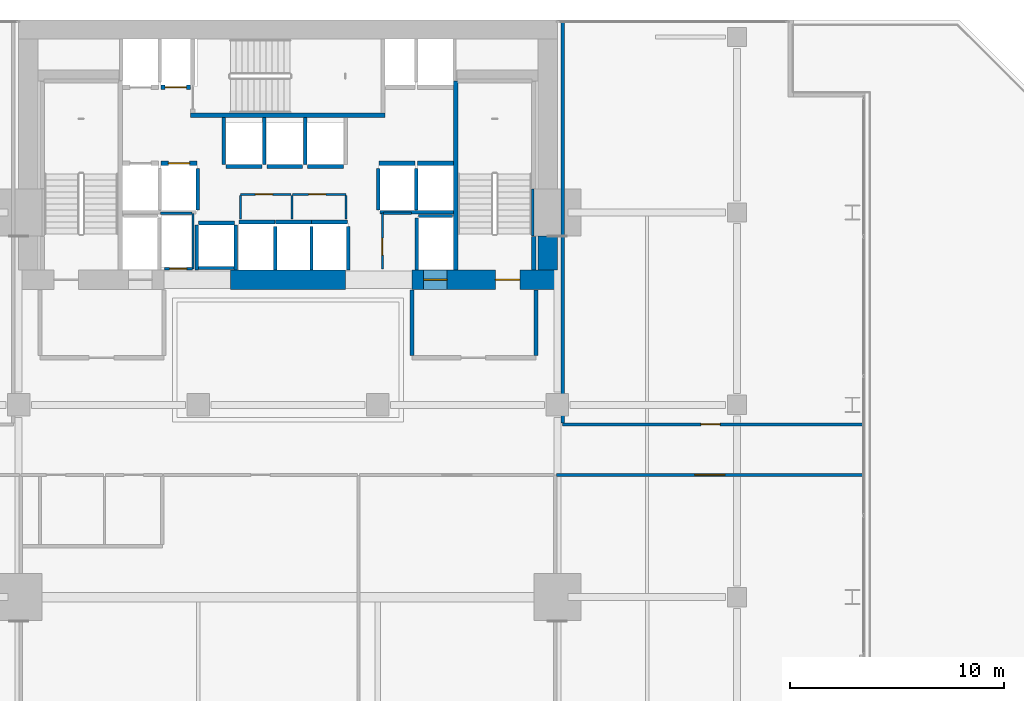
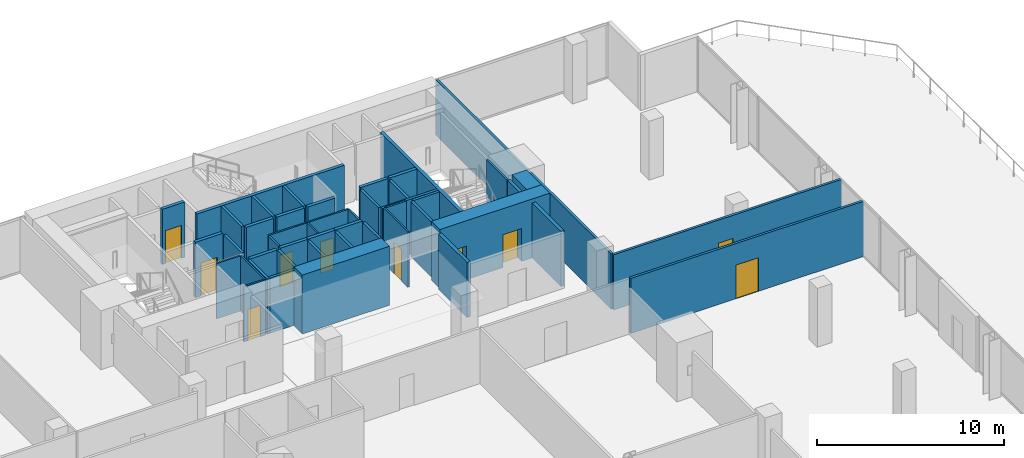
# One storey, part 26 of 31: 48 walls, 10 doors, 10 openings.
"""IFC4 building model written with IfcOpenShell, lengths in metres."""

from ifc_helpers import new_model, si_unit, direction, frame, frame_2d, origin, place, context, subcontext, project, spatial, rectangle, extrude, material, layer, layer_set, type_object, element, fill, save


model = new_model("IFC4")

# Units and contexts
model_context = context("Model", 3, precision=1e-05, world=origin(), true_north=direction((0.0, 1.0)))
body_context = subcontext(model_context, "Body", "Model", "MODEL_VIEW")
ifc_project = project(units=[si_unit("LENGTHUNIT", "METRE"), si_unit("AREAUNIT", "SQUARE_METRE"), si_unit("VOLUMEUNIT", "CUBIC_METRE"), si_unit("PLANEANGLEUNIT", "RADIAN"), si_unit("MASSUNIT", "GRAM", prefix="KILO")], contexts=[model_context])

# Site, building, storey
site_placement = place(None, origin())
site = spatial("IfcSite", under=ifc_project, at=site_placement, CompositionType="ELEMENT")
building_placement = place(site_placement, origin())
building = spatial("IfcBuilding", under=site, at=building_placement, Name="Maruvema Waterfront Hotel and Observation Tower", CompositionType="ELEMENT")
storey_placement = place(building_placement, frame((0.0, 0.0, 26.949951171875)))
storey = spatial("IfcBuildingStorey", under=building, at=storey_placement, Name="L05", CompositionType="ELEMENT", Elevation=26.949951171875)

# Wall, opening, door
ifc_material_1 = material(Name="Twin-stud acoustic gypsum drywall", Category="gypsum")
ifc_layer_1 = layer(ifc_material_1, 0.14990234375, Name="Acoustic Corridor and Suite Demising Wall 150 mm")
ifc_layer_set_1 = layer_set([ifc_layer_1], Name="Twin-stud acoustic gypsum drywall")
wall_type_1 = type_object("IfcWallType", Name="Acoustic Corridor and Suite Demising Wall 150 mm", PredefinedType="PARTITIONING", material=ifc_layer_set_1)
wall_1_placement = place(storey_placement, frame((50.35009765625, 32.719970703125, 0.0), z_axis=(0.0, 0.0, 1.0), x_axis=(1.0, 0.0, 0.0)))
wall_1 = element("IfcWall", 1, at=wall_1_placement, inside=storey, type_object=wall_type_1, Name="L05 L05 Gym North 028", PredefinedType="PARTITIONING", context=body_context, shape_type="SweptSolid", body=[
    extrude(rectangle(XDim=14.369873046875, YDim=0.14990234375, at=frame_2d((7.18505859375, 0.0))), origin(), (0.0, 0.0, 1.0), 3.610107421875),
])
opening_1_placement = place(wall_1_placement, frame((6.485107421875, 0.0, 0.0)))
opening_1 = element("IfcOpeningElement", 2, at=opening_1_placement, cuts=wall_1, Name="Opening DR-140", PredefinedType="OPENING", context=body_context, shape_type="SweptSolid", body=[
    extrude(rectangle(XDim=1.39990234375, YDim=2.199951171875, at=frame_2d((0.699951171875, 1.10009765625))), frame((0.0, 0.0849609375, 0.0), z_axis=(0.0, -1.0, 0.0), x_axis=(1.0, 0.0, 0.0)), (0.0, 0.0, 1.0), 0.169921875),
])
ifc_material_2 = material(Name="Anodised bronze framed acoustic glass leaf", Category="glass")
door_type_1 = type_object("IfcDoorType", Name="Conference and Restaurant Double Door 1400x2200 mm", OperationType="DOUBLE_DOOR_SINGLE_SWING", PredefinedType="DOOR", material=ifc_material_2)
door_1_placement = place(opening_1_placement, origin())
door_1 = element("IfcDoor", 3, at=door_1_placement, inside=storey, type_object=door_type_1, Name="L05 Fitness Gym Door", OperationType="DOUBLE_DOOR_SINGLE_SWING", OverallHeight=2.199951171875, OverallWidth=1.39990234375, PredefinedType="DOOR", context=body_context, shape_type="SweptSolid", body=[
    extrude(rectangle(XDim=1.39990234375, YDim=2.199951171875, at=frame_2d((0.699951171875, 1.10009765625))), frame((0.0, 0.02490234375, 0.0), z_axis=(0.0, -1.0, 0.0), x_axis=(1.0, 0.0, 0.0)), (0.0, 0.0, 1.0), 0.050048828125),
])
fill(opening_1, door_1)

wall_2_placement = place(storey_placement, frame((50.64990234375, 35.080078125, 0.0), z_axis=(0.0, 0.0, 1.0), x_axis=(1.0, 0.0, 0.0)))
wall_2 = element("IfcWall", 4, at=wall_2_placement, inside=storey, type_object=wall_type_1, Name="L05 L05 Yoga South 035", PredefinedType="PARTITIONING", context=body_context, shape_type="SweptSolid", body=[
    extrude(rectangle(XDim=14.070068359375, YDim=0.14990234375, at=frame_2d((7.03515625, 0.0))), origin(), (0.0, 0.0, 1.0), 3.610107421875),
])
opening_2_placement = place(wall_2_placement, frame((6.465087890625, 0.0, 0.0)))
opening_2 = element("IfcOpeningElement", 5, at=opening_2_placement, cuts=wall_2, Name="Opening DR-090", PredefinedType="OPENING", context=body_context, shape_type="SweptSolid", body=[
    extrude(rectangle(XDim=0.89990234375, YDim=2.10009765625, at=frame_2d((0.449951171875, 1.050048828125))), frame((0.0, 0.0849609375, 0.0), z_axis=(0.0, -1.0, 0.0), x_axis=(1.0, 0.0, 0.0)), (0.0, 0.0, 1.0), 0.169921875),
])
ifc_material_3 = material(Name="Solid-core lacquered timber leaf", Category="wood")
door_type_2 = type_object("IfcDoorType", Name="Accessible Toilet and Room Door 900x2100 mm", OperationType="NOTDEFINED", PredefinedType="DOOR", material=ifc_material_3)
door_2_placement = place(opening_2_placement, frame((0.89990234375, 0.0, 0.0), z_axis=(0.0, 0.0, 1.0), x_axis=(-1.0, 0.0, 0.0)))
door_2 = element("IfcDoor", 6, at=door_2_placement, inside=storey, type_object=door_type_2, Name="L05 Yoga Salon Door", OperationType="SINGLE_SWING_LEFT", OverallHeight=2.10009765625, OverallWidth=0.89990234375, PredefinedType="DOOR", context=body_context, shape_type="SweptSolid", body=[
    extrude(rectangle(XDim=0.89990234375, YDim=2.10009765625, at=frame_2d((0.449951171875, 1.050048828125))), frame((0.0, 0.02490234375, 0.0), z_axis=(0.0, -1.0, 0.0), x_axis=(1.0, 0.0, 0.0)), (0.0, 0.0, 1.0), 0.050048828125),
])
fill(opening_2, door_2)

# Walls
wall_3_placement = place(storey_placement, frame((50.64990234375, 35.139892578125, 0.0), z_axis=(0.0, 0.0, 1.0), x_axis=(0.0, 1.0, 0.0)))
element("IfcWall", 7, at=wall_3_placement, inside=storey, type_object=wall_type_1, Name="L05 L05 Yoga West 036", PredefinedType="PARTITIONING", context=body_context, shape_type="SweptSolid", body=[
    extrude(rectangle(XDim=18.780029296875, YDim=0.14990234375, at=frame_2d((9.39013671875, 0.0))), origin(), (0.0, 0.0, 1.0), 3.610107421875),
])
ifc_material_4 = material(Name="Precast concrete C45/55", Category="concrete")
ifc_layer_2 = layer(ifc_material_4, 0.199951171875, Name="Core Shaft and Stairwell Enclosure Wall 200 mm")
ifc_layer_set_2 = layer_set([ifc_layer_2], Name="Precast concrete C45/55")
wall_type_2 = type_object("IfcWallType", Name="Core Shaft and Stairwell Enclosure Wall 200 mm", PredefinedType="SOLIDWALL", material=ifc_layer_set_2)
wall_4_placement = place(storey_placement, frame((33.25, 49.550048828125, 0.0), z_axis=(0.0, 0.0, 1.0), x_axis=(1.0, 0.0, 0.0)))
element("IfcWall", 8, at=wall_4_placement, inside=storey, type_object=wall_type_2, Name="L05 Stairwell ST-02 Shaft Wall", PredefinedType="SOLIDWALL", context=body_context, shape_type="SweptSolid", body=[
    extrude(rectangle(XDim=9.10009765625, YDim=0.199951171875, at=frame_2d((4.550048828125, 0.0))), origin(), (0.0, 0.0, 1.0), 3.610107421875),
])
wall_5_placement = place(storey_placement, frame((45.64990234375, 42.300048828125, 0.0), z_axis=(0.0, 0.0, 1.0), x_axis=(0.0, 1.0, 0.0)))
element("IfcWall", 9, at=wall_5_placement, inside=storey, type_object=wall_type_2, Name="L05 Stairwell ST-03 West Shaft Wall", PredefinedType="SOLIDWALL", context=body_context, shape_type="SweptSolid", body=[
    extrude(rectangle(XDim=8.849853515625, YDim=0.199951171875, at=frame_2d((4.4248046875, 0.0))), origin(), (0.0, 0.0, 1.0), 3.610107421875),
])
wall_6_placement = place(storey_placement, frame((49.300048828125, 42.300048828125, 0.0), z_axis=(0.0, 0.0, 1.0), x_axis=(0.0, 1.0, 0.0)))
element("IfcWall", 10, at=wall_6_placement, inside=storey, type_object=wall_type_2, Name="L05 Stairwell ST-03 Shaft Lining Wall", PredefinedType="SOLIDWALL", context=body_context, shape_type="SweptSolid", body=[
    extrude(rectangle(XDim=1.579833984375, YDim=0.199951171875, at=frame_2d((0.7900390625, 0.0))), origin(), (0.0, 0.0, 1.0), 3.610107421875),
])

# Wall, opening, door
wall_7_placement = place(storey_placement, frame((31.860107421875, 47.300048828125, 0.0), z_axis=(0.0, 0.0, 1.0), x_axis=(1.0, 0.0, 0.0)))
wall_7 = element("IfcWall", 11, at=wall_7_placement, inside=storey, type_object=wall_type_2, Name="L05 Lift LF-02 Hoistway Front Wall", PredefinedType="SOLIDWALL", context=body_context, shape_type="SweptSolid", body=[
    extrude(rectangle(XDim=1.679931640625, YDim=0.199951171875, at=frame_2d((0.83984375, 0.0))), origin(), (0.0, 0.0, 1.0), 3.610107421875),
])
opening_3_placement = place(wall_7_placement, frame((0.340087890625, 0.0, 0.0)))
opening_3 = element("IfcOpeningElement", 12, at=opening_3_placement, cuts=wall_7, Name="Opening LD-01", PredefinedType="OPENING", context=body_context, shape_type="SweptSolid", body=[
    extrude(rectangle(XDim=1.0, YDim=2.14990234375, at=frame_2d((0.5, 1.074951171875))), frame((0.0, 0.10986328125, 0.0), z_axis=(0.0, -1.0, 0.0), x_axis=(1.0, 0.0, 0.0)), (0.0, 0.0, 1.0), 0.219970703125),
])
ifc_material_5 = material(Name="Brushed stainless steel Grade 316", Category="steel")
door_type_3 = type_object("IfcDoorType", Name="Passenger Lift Sliding Landing Door 1000x2150 mm", OperationType="SLIDING_TO_LEFT", PredefinedType="DOOR", material=ifc_material_5)
door_3_placement = place(opening_3_placement, origin())
door_3 = element("IfcDoor", 13, at=door_3_placement, inside=storey, type_object=door_type_3, Name="L05 Lift LF-02 Sliding Landing Door", OperationType="SLIDING_TO_LEFT", OverallHeight=2.14990234375, OverallWidth=1.0, PredefinedType="DOOR", context=body_context, shape_type="SweptSolid", body=[
    extrude(rectangle(XDim=1.0, YDim=2.14990234375, at=frame_2d((0.5, 1.074951171875))), frame((0.0, 0.02490234375, 0.0), z_axis=(0.0, -1.0, 0.0), x_axis=(1.0, 0.0, 0.0)), (0.0, 0.0, 1.0), 0.050048828125),
])
fill(opening_3, door_3)

wall_8_placement = place(storey_placement, frame((31.860107421875, 50.85009765625, 0.0), z_axis=(0.0, 0.0, 1.0), x_axis=(1.0, 0.0, 0.0)))
wall_8 = element("IfcWall", 14, at=wall_8_placement, inside=storey, type_object=wall_type_2, Name="L05 Lift LF-04 Hoistway Front Wall", PredefinedType="SOLIDWALL", context=body_context, shape_type="SweptSolid", body=[
    extrude(rectangle(XDim=1.3798828125, YDim=0.199951171875, at=frame_2d((0.68994140625, 0.0))), origin(), (0.0, 0.0, 1.0), 3.610107421875),
])
opening_4_placement = place(wall_8_placement, frame((0.18994140625, 0.0, 0.0)))
opening_4 = element("IfcOpeningElement", 15, at=opening_4_placement, cuts=wall_8, Name="Opening LD-01", PredefinedType="OPENING", context=body_context, shape_type="SweptSolid", body=[
    extrude(rectangle(XDim=1.0, YDim=2.14990234375, at=frame_2d((0.5, 1.074951171875))), frame((0.0, 0.10986328125, 0.0), z_axis=(0.0, -1.0, 0.0), x_axis=(1.0, 0.0, 0.0)), (0.0, 0.0, 1.0), 0.219970703125),
])
door_4_placement = place(opening_4_placement, frame((1.0, 0.0, 0.0), z_axis=(0.0, 0.0, 1.0), x_axis=(-1.0, 0.0, 0.0)))
door_4 = element("IfcDoor", 16, at=door_4_placement, inside=storey, type_object=door_type_3, Name="L05 Lift LF-04 Sliding Landing Door", OperationType="SLIDING_TO_LEFT", OverallHeight=2.14990234375, OverallWidth=1.0, PredefinedType="DOOR", context=body_context, shape_type="SweptSolid", body=[
    extrude(rectangle(XDim=1.0, YDim=2.14990234375, at=frame_2d((0.5, 1.074951171875))), frame((0.0, 0.02490234375, 0.0), z_axis=(0.0, -1.0, 0.0), x_axis=(1.0, 0.0, 0.0)), (0.0, 0.0, 1.0), 0.050048828125),
])
fill(opening_4, door_4)

# Walls
for number, where, z_axis, x_axis, name in (
    (17, (42.06005859375, 47.300048828125, 0.0), (0.0, 0.0, 1.0), (1.0, 0.0, 0.0), "L05 Lift LF-05 Hoistway Front Wall"),
    (18, (43.860107421875, 47.300048828125, 0.0), (0.0, 0.0, 1.0), (1.0, 0.0, 0.0), "L05 Lift LF-06 Hoistway Front Wall"),
    (19, (35.510009765625, 44.550048828125, 0.0), (0.0, 0.0, 1.0), (1.0, 0.0, 0.0), "L05 Lift LF-09 Hoistway Front Wall"),
    (20, (37.2099609375, 44.550048828125, 0.0), (0.0, 0.0, 1.0), (1.0, 0.0, 0.0), "L05 Lift LF-10 Hoistway Front Wall"),
):
    element("IfcWall", number, at=place(storey_placement, frame(where, z_axis=z_axis, x_axis=x_axis)), inside=storey, type_object=wall_type_2, Name=name, PredefinedType="SOLIDWALL", context=body_context, shape_type="SweptSolid", body=[
        extrude(rectangle(XDim=1.679931640625, YDim=0.199951171875, at=frame_2d((0.83984375, 0.0))), origin(), (0.0, 0.0, 1.0), 3.610107421875),
    ])
for number, where, z_axis, x_axis, name in (
    (21, (38.909912109375, 44.550048828125, 0.0), (0.0, 0.0, 1.0), (1.0, 0.0, 0.0), "L05 Lift LF-11 Hoistway Front Wall"),
    (22, (34.909912109375, 47.14990234375, 0.0), (0.0, 0.0, 1.0), (1.0, 0.0, 0.0), "L05 Lift LF-12 Hoistway Front Wall"),
):
    element("IfcWall", number, at=place(storey_placement, frame(where, z_axis=z_axis, x_axis=x_axis)), inside=storey, type_object=wall_type_2, Name=name, PredefinedType="SOLIDWALL", context=body_context, shape_type="SweptSolid", body=[
        extrude(rectangle(XDim=1.68017578125, YDim=0.199951171875, at=frame_2d((0.840087890625, 0.0))), origin(), (0.0, 0.0, 1.0), 3.610107421875),
    ])
for number, where, z_axis, x_axis, name in (
    (23, (36.81005859375, 47.14990234375, 0.0), (0.0, 0.0, 1.0), (1.0, 0.0, 0.0), "L05 Lift LF-13 Hoistway Front Wall"),
    (24, (38.7099609375, 47.14990234375, 0.0), (0.0, 0.0, 1.0), (1.0, 0.0, 0.0), "L05 Lift LF-14 Hoistway Front Wall"),
    (25, (33.610107421875, 44.5, 0.0), (0.0, 0.0, 1.0), (1.0, 0.0, 0.0), "L05 Lift LF-15 Hoistway Front Wall"),
):
    element("IfcWall", number, at=place(storey_placement, frame(where, z_axis=z_axis, x_axis=x_axis)), inside=storey, type_object=wall_type_2, Name=name, PredefinedType="SOLIDWALL", context=body_context, shape_type="SweptSolid", body=[
        extrude(rectangle(XDim=1.679931640625, YDim=0.199951171875, at=frame_2d((0.83984375, 0.0))), origin(), (0.0, 0.0, 1.0), 3.610107421875),
    ])
ifc_material_6 = material(Name="Concrete C80/95", Category="concrete")
ifc_layer_3 = layer(ifc_material_6, 0.89990234375, Name="Core Shear Wall 900 mm")
ifc_layer_set_3 = layer_set([ifc_layer_3], Name="Concrete C80/95")
wall_type_3 = type_object("IfcWallType", Name="Core Shear Wall 900 mm", PredefinedType="SHEAR", material=ifc_layer_set_3)
wall_9_placement = place(storey_placement, frame((35.10009765625, 41.85009765625, 0.0), z_axis=(0.0, 0.0, 1.0), x_axis=(1.0, 0.0, 0.0)))
element("IfcWall", 26, at=wall_9_placement, inside=storey, type_object=wall_type_3, Name="L05 South-Central Core Shear Wall", PredefinedType="SHEAR", context=body_context, shape_type="SweptSolid", body=[
    extrude(rectangle(XDim=5.39990234375, YDim=0.89990234375, at=frame_2d((2.699951171875, 0.0))), origin(), (0.0, 0.0, 1.0), 3.85009765625),
])

# Wall, openings, doors
wall_10_placement = place(storey_placement, frame((43.60009765625, 41.85009765625, 0.0), z_axis=(0.0, 0.0, 1.0), x_axis=(1.0, 0.0, 0.0)))
wall_10 = element("IfcWall", 27, at=wall_10_placement, inside=storey, type_object=wall_type_3, Name="L05 South-East Core Shear Wall", PredefinedType="SHEAR", context=body_context, shape_type="SweptSolid", body=[
    extrude(rectangle(XDim=6.7998046875, YDim=0.89990234375, at=frame_2d((3.39990234375, 0.0))), origin(), (0.0, 0.0, 1.0), 3.85009765625),
])
opening_5_placement = place(wall_10_placement, frame((3.89990234375, 0.0, 0.0)))
opening_5 = element("IfcOpeningElement", 28, at=opening_5_placement, cuts=wall_10, Name="Opening SD-01", PredefinedType="OPENING", context=body_context, shape_type="SweptSolid", body=[
    extrude(rectangle(XDim=1.14990234375, YDim=2.14990234375, at=frame_2d((0.574951171875, 1.074951171875))), frame((0.0, 0.4599609375, 0.0), z_axis=(0.0, -1.0, 0.0), x_axis=(1.0, 0.0, 0.0)), (0.0, 0.0, 1.0), 0.919921875),
])
opening_6_placement = place(wall_10_placement, frame((0.550048828125, 0.0, 0.0)))
opening_6 = element("IfcOpeningElement", 29, at=opening_6_placement, cuts=wall_10, Name="Opening LD-03", PredefinedType="OPENING", context=body_context, shape_type="SweptSolid", body=[
    extrude(rectangle(XDim=1.10009765625, YDim=2.199951171875, at=frame_2d((0.550048828125, 1.10009765625))), frame((0.0, 0.4599609375, 0.0), z_axis=(0.0, -1.0, 0.0), x_axis=(1.0, 0.0, 0.0)), (0.0, 0.0, 1.0), 0.919921875),
])
ifc_material_7 = material(Name="Fire-rated galvanised steel leaf", Category="steel")
door_type_4 = type_object("IfcDoorType", Name="Exit Stair Fire Door 1150x2150 mm", OperationType="NOTDEFINED", PredefinedType="DOOR", material=ifc_material_7)
door_5_placement = place(opening_5_placement, origin())
door_5 = element("IfcDoor", 30, at=door_5_placement, inside=storey, type_object=door_type_4, Name="L05 Exit Stair ST-03 Fire Door", OperationType="SINGLE_SWING_RIGHT", OverallHeight=2.14990234375, OverallWidth=1.14990234375, PredefinedType="DOOR", context=body_context, shape_type="SweptSolid", body=[
    extrude(rectangle(XDim=1.14990234375, YDim=2.14990234375, at=frame_2d((0.574951171875, 1.074951171875))), frame((0.0, 0.02490234375, 0.0), z_axis=(0.0, -1.0, 0.0), x_axis=(1.0, 0.0, 0.0)), (0.0, 0.0, 1.0), 0.050048828125),
])
fill(opening_5, door_5)
ifc_material_8 = material(Name="Brushed stainless steel Grade 316", Category="steel")
door_type_5 = type_object("IfcDoorType", Name="Firefighting Lift Sliding Landing Door 1100x2200 mm", OperationType="SLIDING_TO_LEFT", PredefinedType="DOOR", material=ifc_material_8)
door_6_placement = place(opening_6_placement, frame((1.10009765625, 0.0, 0.0), z_axis=(0.0, 0.0, 1.0), x_axis=(-1.0, 0.0, 0.0)))
door_6 = element("IfcDoor", 31, at=door_6_placement, inside=storey, type_object=door_type_5, Name="L05 Firefighting Lift FL-02 Landing Door", OperationType="SLIDING_TO_LEFT", OverallHeight=2.199951171875, OverallWidth=1.10009765625, PredefinedType="DOOR", context=body_context, shape_type="SweptSolid", body=[
    extrude(rectangle(XDim=1.10009765625, YDim=2.199951171875, at=frame_2d((0.550048828125, 1.10009765625))), frame((0.0, 0.02490234375, 0.0), z_axis=(0.0, -1.0, 0.0), x_axis=(1.0, 0.0, 0.0)), (0.0, 0.0, 1.0), 0.050048828125),
])
fill(opening_6, door_6)

# Wall
wall_11_placement = place(storey_placement, frame((49.949951171875, 42.300048828125, 0.0), z_axis=(0.0, 0.0, 1.0), x_axis=(0.0, 1.0, 0.0)))
element("IfcWall", 32, at=wall_11_placement, inside=storey, type_object=wall_type_3, Name="L05 East-South Core Shear Wall", PredefinedType="SHEAR", context=body_context, shape_type="SweptSolid", body=[
    extrude(rectangle(XDim=1.599853515625, YDim=0.89990234375, at=frame_2d((0.7998046875, 0.0))), origin(), (0.0, 0.0, 1.0), 3.85009765625),
])

# Wall, opening, door
ifc_material_9 = material(Name="Moisture-resistant cement-board drywall", Category="gypsum")
ifc_layer_4 = layer(ifc_material_9, 0.10009765625, Name="En-Suite Moisture-Resistant Partition 100 mm")
ifc_layer_set_4 = layer_set([ifc_layer_4], Name="Moisture-resistant cement-board drywall")
wall_type_4 = type_object("IfcWallType", Name="En-Suite Moisture-Resistant Partition 100 mm", PredefinedType="PARTITIONING", material=ifc_layer_set_4)
wall_12_placement = place(storey_placement, frame((32.02001953125, 42.360107421875, 0.0), z_axis=(0.0, 0.0, 1.0), x_axis=(1.0, 0.0, 0.0)))
wall_12 = element("IfcWall", 33, at=wall_12_placement, inside=storey, type_object=wall_type_4, Name="L05 Telecom Riser South Wall 007", PredefinedType="PARTITIONING", context=body_context, shape_type="SweptSolid", body=[
    extrude(rectangle(XDim=1.320068359375, YDim=0.10009765625, at=frame_2d((0.66015625, 0.0))), origin(), (0.0, 0.0, 1.0), 3.610107421875),
])
opening_7_placement = place(wall_12_placement, frame((0.239990234375, 0.0, 0.0)))
opening_7 = element("IfcOpeningElement", 34, at=opening_7_placement, cuts=wall_12, Name="Opening DR-080", PredefinedType="OPENING", context=body_context, shape_type="SweptSolid", body=[
    extrude(rectangle(XDim=0.800048828125, YDim=2.050048828125, at=frame_2d((0.39990234375, 1.02490234375))), frame((0.0, 0.06005859375, 0.0), z_axis=(0.0, -1.0, 0.0), x_axis=(1.0, 0.0, 0.0)), (0.0, 0.0, 1.0), 0.1201171875),
])
ifc_material_10 = material(Name="Powder-coated steel access leaf", Category="steel")
door_type_6 = type_object("IfcDoorType", Name="Riser and Service Cupboard Door 800x2050 mm", OperationType="NOTDEFINED", PredefinedType="DOOR", material=ifc_material_10)
door_7_placement = place(opening_7_placement, frame((0.800048828125, 0.0, 0.0), z_axis=(0.0, 0.0, 1.0), x_axis=(-1.0, 0.0, 0.0)))
door_7 = element("IfcDoor", 35, at=door_7_placement, inside=storey, type_object=door_type_6, Name="L05 Telecom Riser Door", OperationType="SINGLE_SWING_RIGHT", OverallHeight=2.050048828125, OverallWidth=0.800048828125, PredefinedType="DOOR", context=body_context, shape_type="SweptSolid", body=[
    extrude(rectangle(XDim=0.800048828125, YDim=2.050048828125, at=frame_2d((0.39990234375, 1.02490234375))), frame((0.0, 0.02490234375, 0.0), z_axis=(0.0, -1.0, 0.0), x_axis=(1.0, 0.0, 0.0)), (0.0, 0.0, 1.0), 0.050048828125),
])
fill(opening_7, door_7)

# Walls
wall_13_placement = place(storey_placement, frame((31.840087890625, 44.9599609375, 0.0), z_axis=(0.0, 0.0, 1.0), x_axis=(1.0, 0.0, 0.0)))
element("IfcWall", 36, at=wall_13_placement, inside=storey, type_object=wall_type_4, Name="L05 Telecom Riser North Wall 008", PredefinedType="PARTITIONING", context=body_context, shape_type="SweptSolid", body=[
    extrude(rectangle(XDim=1.47998046875, YDim=0.10009765625, at=frame_2d((0.739990234375, 0.0))), origin(), (0.0, 0.0, 1.0), 3.610107421875),
])
wall_14_placement = place(storey_placement, frame((33.360107421875, 42.360107421875, 0.0), z_axis=(0.0, 0.0, 1.0), x_axis=(0.0, 1.0, 0.0)))
element("IfcWall", 37, at=wall_14_placement, inside=storey, type_object=wall_type_4, Name="L05 Telecom Riser East Wall 009", PredefinedType="PARTITIONING", context=body_context, shape_type="SweptSolid", body=[
    extrude(rectangle(XDim=2.579833984375, YDim=0.10009765625, at=frame_2d((1.2900390625, 0.0))), origin(), (0.0, 0.0, 1.0), 3.610107421875),
])

# Wall, opening, door
wall_15_placement = place(storey_placement, frame((35.580078125, 45.840087890625, 0.0), z_axis=(0.0, 0.0, 1.0), x_axis=(1.0, 0.0, 0.0)))
wall_15 = element("IfcWall", 38, at=wall_15_placement, inside=storey, type_object=wall_type_4, Name="L05 Core Closet K2A North 010", PredefinedType="PARTITIONING", context=body_context, shape_type="SweptSolid", body=[
    extrude(rectangle(XDim=2.35986328125, YDim=0.10009765625, at=frame_2d((1.179931640625, 0.0))), origin(), (0.0, 0.0, 1.0), 3.610107421875),
])
opening_8_placement = place(wall_15_placement, frame((0.699951171875, 0.0, 0.0)))
opening_8 = element("IfcOpeningElement", 39, at=opening_8_placement, cuts=wall_15, Name="Opening DR-080", PredefinedType="OPENING", context=body_context, shape_type="SweptSolid", body=[
    extrude(rectangle(XDim=0.800048828125, YDim=2.050048828125, at=frame_2d((0.39990234375, 1.02490234375))), frame((0.0, 0.06005859375, 0.0), z_axis=(0.0, -1.0, 0.0), x_axis=(1.0, 0.0, 0.0)), (0.0, 0.0, 1.0), 0.1201171875),
])
door_8_placement = place(opening_8_placement, origin())
door_8 = element("IfcDoor", 40, at=door_8_placement, inside=storey, type_object=door_type_6, Name="L05 Core IT Closet Door", OperationType="SINGLE_SWING_LEFT", OverallHeight=2.050048828125, OverallWidth=0.800048828125, PredefinedType="DOOR", context=body_context, shape_type="SweptSolid", body=[
    extrude(rectangle(XDim=0.800048828125, YDim=2.050048828125, at=frame_2d((0.39990234375, 1.02490234375))), frame((0.0, 0.02490234375, 0.0), z_axis=(0.0, -1.0, 0.0), x_axis=(1.0, 0.0, 0.0)), (0.0, 0.0, 1.0), 0.050048828125),
])
fill(opening_8, door_8)

wall_16_placement = place(storey_placement, frame((38.02001953125, 45.840087890625, 0.0), z_axis=(0.0, 0.0, 1.0), x_axis=(1.0, 0.0, 0.0)))
wall_16 = element("IfcWall", 41, at=wall_16_placement, inside=storey, type_object=wall_type_4, Name="L05 Core Closet K2B North 011", PredefinedType="PARTITIONING", context=body_context, shape_type="SweptSolid", body=[
    extrude(rectangle(XDim=2.5, YDim=0.10009765625, at=frame_2d((1.25, 0.0))), origin(), (0.0, 0.0, 1.0), 3.610107421875),
])
opening_9_placement = place(wall_16_placement, frame((0.75, 0.0, 0.0)))
opening_9 = element("IfcOpeningElement", 42, at=opening_9_placement, cuts=wall_16, Name="Opening DR-080", PredefinedType="OPENING", context=body_context, shape_type="SweptSolid", body=[
    extrude(rectangle(XDim=0.800048828125, YDim=2.050048828125, at=frame_2d((0.39990234375, 1.02490234375))), frame((0.0, 0.06005859375, 0.0), z_axis=(0.0, -1.0, 0.0), x_axis=(1.0, 0.0, 0.0)), (0.0, 0.0, 1.0), 0.1201171875),
])
door_9_placement = place(opening_9_placement, origin())
door_9 = element("IfcDoor", 43, at=door_9_placement, inside=storey, type_object=door_type_6, Name="L05 Core Linen Cupboard Door", OperationType="SINGLE_SWING_RIGHT", OverallHeight=2.050048828125, OverallWidth=0.800048828125, PredefinedType="DOOR", context=body_context, shape_type="SweptSolid", body=[
    extrude(rectangle(XDim=0.800048828125, YDim=2.050048828125, at=frame_2d((0.39990234375, 1.02490234375))), frame((0.0, 0.02490234375, 0.0), z_axis=(0.0, -1.0, 0.0), x_axis=(1.0, 0.0, 0.0)), (0.0, 0.0, 1.0), 0.050048828125),
])
fill(opening_9, door_9)

# Walls
for number, where, z_axis, x_axis, name in (
    (44, (35.580078125, 44.699951171875, 0.0), (0.0, 0.0, 1.0), (0.0, 1.0, 0.0), "L05 Core Closet K2 West 012"),
    (45, (37.97998046875, 44.699951171875, 0.0), (0.0, 0.0, 1.0), (0.0, 1.0, 0.0), "L05 Core Closet K2 Mid 013"),
    (46, (40.52001953125, 44.699951171875, 0.0), (0.0, 0.0, 1.0), (0.0, 1.0, 0.0), "L05 Core Closet K2 East 014"),
):
    element("IfcWall", number, at=place(storey_placement, frame(where, z_axis=z_axis, x_axis=x_axis)), inside=storey, type_object=wall_type_4, Name=name, PredefinedType="PARTITIONING", context=body_context, shape_type="SweptSolid", body=[
        extrude(rectangle(XDim=1.080078125, YDim=0.10009765625, at=frame_2d((0.5400390625, 0.0))), origin(), (0.0, 0.0, 1.0), 3.610107421875),
    ])

# Wall, opening, door
wall_17_placement = place(storey_placement, frame((42.219970703125, 42.35009765625, 0.0), z_axis=(0.0, 0.0, 1.0), x_axis=(0.0, 1.0, 0.0)))
wall_17 = element("IfcWall", 47, at=wall_17_placement, inside=storey, type_object=wall_type_4, Name="L05 Core Closet K2C West 015", PredefinedType="PARTITIONING", context=body_context, shape_type="SweptSolid", body=[
    extrude(rectangle(XDim=2.60986328125, YDim=0.10009765625, at=frame_2d((1.304931640625, 0.0))), origin(), (0.0, 0.0, 1.0), 3.610107421875),
])
opening_10_placement = place(wall_17_placement, frame((0.64990234375, 0.0, 0.0)))
opening_10 = element("IfcOpeningElement", 48, at=opening_10_placement, cuts=wall_17, Name="Opening DR-080", PredefinedType="OPENING", context=body_context, shape_type="SweptSolid", body=[
    extrude(rectangle(XDim=0.800048828125, YDim=2.050048828125, at=frame_2d((0.39990234375, 1.02490234375))), frame((0.0, 0.06005859375, 0.0), z_axis=(0.0, -1.0, 0.0), x_axis=(1.0, 0.0, 0.0)), (0.0, 0.0, 1.0), 0.1201171875),
])
door_10_placement = place(opening_10_placement, frame((0.800048828125, 0.0, 0.0), z_axis=(0.0, 0.0, 1.0), x_axis=(-1.0, 0.0, 0.0)))
door_10 = element("IfcDoor", 49, at=door_10_placement, inside=storey, type_object=door_type_6, Name="L05 Core Housekeeping Closet Door", OperationType="SINGLE_SWING_LEFT", OverallHeight=2.050048828125, OverallWidth=0.800048828125, PredefinedType="DOOR", context=body_context, shape_type="SweptSolid", body=[
    extrude(rectangle(XDim=0.800048828125, YDim=2.050048828125, at=frame_2d((0.39990234375, 1.02490234375))), frame((0.0, 0.02490234375, 0.0), z_axis=(0.0, -1.0, 0.0), x_axis=(1.0, 0.0, 0.0)), (0.0, 0.0, 1.0), 0.050048828125),
])
fill(opening_10, door_10)

# Walls
wall_18_placement = place(storey_placement, frame((42.280029296875, 44.9599609375, 0.0), z_axis=(0.0, 0.0, 1.0), x_axis=(1.0, 0.0, 0.0)))
element("IfcWall", 50, at=wall_18_placement, inside=storey, type_object=wall_type_4, Name="L05 Core Closet K2C North 016", PredefinedType="PARTITIONING", context=body_context, shape_type="SweptSolid", body=[
    extrude(rectangle(XDim=1.300048828125, YDim=0.10009765625, at=frame_2d((0.64990234375, 0.0))), origin(), (0.0, 0.0, 1.0), 3.610107421875),
])
ifc_material_11 = material(Name="Autoclaved cellular concrete blockwork", Category="masonry")
ifc_layer_5 = layer(ifc_material_11, 0.199951171875, Name="Fire Compartment Masonry Wall 200 mm")
ifc_layer_set_5 = layer_set([ifc_layer_5], Name="Autoclaved cellular concrete blockwork")
wall_type_5 = type_object("IfcWallType", Name="Fire Compartment Masonry Wall 200 mm", PredefinedType="PARTITIONING", material=ifc_layer_set_5)
for number, where, z_axis, x_axis, name in (
    (51, (43.60009765625, 38.31005859375, 0.0), (0.0, 0.0, 1.0), (0.0, 1.0, 0.0), "L05 FFL East West Wall 005"),
    (52, (49.39990234375, 38.31005859375, 0.0), (0.0, 0.0, 1.0), (0.0, 1.0, 0.0), "L05 FFL East East Wall 006"),
):
    element("IfcWall", number, at=place(storey_placement, frame(where, z_axis=z_axis, x_axis=x_axis)), inside=storey, type_object=wall_type_5, Name=name, PredefinedType="PARTITIONING", context=body_context, shape_type="SweptSolid", body=[
        extrude(rectangle(XDim=3.06982421875, YDim=0.199951171875, at=frame_2d((1.534912109375, 0.0))), origin(), (0.0, 0.0, 1.0), 3.610107421875),
    ])
ifc_material_12 = material(Name="Precast concrete C45/55", Category="concrete")
ifc_layer_6 = layer(ifc_material_12, 0.159912109375, Name="Lift Hoistway Divider Wall 160 mm")
ifc_layer_set_6 = layer_set([ifc_layer_6], Name="Precast concrete C45/55")
wall_type_6 = type_object("IfcWallType", Name="Lift Hoistway Divider Wall 160 mm", PredefinedType="SOLIDWALL", material=ifc_layer_set_6)
wall_19_placement = place(storey_placement, frame((43.89990234375, 44.830078125, 0.0), z_axis=(0.0, 0.0, 1.0), x_axis=(1.0, 0.0, 0.0)))
element("IfcWall", 53, at=wall_19_placement, inside=storey, type_object=wall_type_6, Name="L05 Lift FL-02 Rear Hoistway Wall", PredefinedType="SOLIDWALL", context=body_context, shape_type="SweptSolid", body=[
    extrude(rectangle(XDim=1.60009765625, YDim=0.159912109375, at=frame_2d((0.800048828125, 0.0))), origin(), (0.0, 0.0, 1.0), 3.610107421875),
])
wall_20_placement = place(storey_placement, frame((43.820068359375, 42.300048828125, 0.0), z_axis=(0.0, 0.0, 1.0), x_axis=(0.0, 1.0, 0.0)))
element("IfcWall", 54, at=wall_20_placement, inside=storey, type_object=wall_type_6, Name="L05 Lift FL-02 Inner Hoistway Wall", PredefinedType="SOLIDWALL", context=body_context, shape_type="SweptSolid", body=[
    extrude(rectangle(XDim=2.43994140625, YDim=0.159912109375, at=frame_2d((1.219970703125, 0.0))), origin(), (0.0, 0.0, 1.0), 3.610107421875),
])
for number, where, z_axis, x_axis, name in (
    (55, (33.580078125, 45.10009765625, 0.0), (0.0, 0.0, 1.0), (0.0, 1.0, 0.0), "L05 Hoistway Divider Wall"),
    (56, (42.02001953125, 45.10009765625, 0.0), (0.0, 0.0, 1.0), (0.0, 1.0, 0.0), "L05 Hoistway Divider Wall"),
    (57, (43.800048828125, 45.10009765625, 0.0), (0.0, 0.0, 1.0), (0.0, 1.0, 0.0), "L05 Hoistway Divider Wall"),
):
    element("IfcWall", number, at=place(storey_placement, frame(where, z_axis=z_axis, x_axis=x_axis)), inside=storey, type_object=wall_type_6, Name=name, PredefinedType="SOLIDWALL", context=body_context, shape_type="SweptSolid", body=[
        extrude(rectangle(XDim=1.949951171875, YDim=0.159912109375, at=frame_2d((0.97509765625, 0.0))), origin(), (0.0, 0.0, 1.0), 3.610107421875),
    ])
wall_21_placement = place(storey_placement, frame((42.10009765625, 45.010009765625, 0.0), z_axis=(0.0, 0.0, 1.0), x_axis=(1.0, 0.0, 0.0)))
element("IfcWall", 58, at=wall_21_placement, inside=storey, type_object=wall_type_6, Name="L05 Hoistway Divider Wall", PredefinedType="SOLIDWALL", context=body_context, shape_type="SweptSolid", body=[
    extrude(rectangle(XDim=3.449951171875, YDim=0.159912109375, at=frame_2d((1.72509765625, 0.0))), origin(), (0.0, 0.0, 1.0), 3.610107421875),
])
for number, where, z_axis, x_axis, name in (
    (59, (37.199951171875, 42.300048828125, 0.0), (0.0, 0.0, 1.0), (0.0, 1.0, 0.0), "L05 Hoistway Divider Wall"),
    (60, (38.89990234375, 42.300048828125, 0.0), (0.0, 0.0, 1.0), (0.0, 1.0, 0.0), "L05 Hoistway Divider Wall"),
    (61, (40.6201171875, 42.300048828125, 0.0), (0.0, 0.0, 1.0), (0.0, 1.0, 0.0), "L05 Hoistway Divider Wall"),
):
    element("IfcWall", number, at=place(storey_placement, frame(where, z_axis=z_axis, x_axis=x_axis)), inside=storey, type_object=wall_type_6, Name=name, PredefinedType="SOLIDWALL", context=body_context, shape_type="SweptSolid", body=[
        extrude(rectangle(XDim=2.050048828125, YDim=0.159912109375, at=frame_2d((1.02490234375, 0.0))), origin(), (0.0, 0.0, 1.0), 3.610107421875),
    ])
for number, where, z_axis, x_axis, name in (
    (62, (34.800048828125, 47.25, 0.0), (0.0, 0.0, 1.0), (0.0, 1.0, 0.0), "L05 Hoistway Divider Wall"),
    (63, (36.699951171875, 47.25, 0.0), (0.0, 0.0, 1.0), (0.0, 1.0, 0.0), "L05 Hoistway Divider Wall"),
    (64, (38.60009765625, 47.25, 0.0), (0.0, 0.0, 1.0), (0.0, 1.0, 0.0), "L05 Hoistway Divider Wall"),
):
    element("IfcWall", number, at=place(storey_placement, frame(where, z_axis=z_axis, x_axis=x_axis)), inside=storey, type_object=wall_type_6, Name=name, PredefinedType="SOLIDWALL", context=body_context, shape_type="SweptSolid", body=[
        extrude(rectangle(XDim=2.18994140625, YDim=0.159912109375, at=frame_2d((1.094970703125, 0.0))), origin(), (0.0, 0.0, 1.0), 3.610107421875),
    ])
for number, where, z_axis, x_axis, name in (
    (65, (33.5400390625, 42.300048828125, 0.0), (0.0, 0.0, 1.0), (0.0, 1.0, 0.0), "L05 Hoistway Divider Wall"),
    (66, (35.360107421875, 42.300048828125, 0.0), (0.0, 0.0, 1.0), (0.0, 1.0, 0.0), "L05 Hoistway Divider Wall"),
):
    element("IfcWall", number, at=place(storey_placement, frame(where, z_axis=z_axis, x_axis=x_axis)), inside=storey, type_object=wall_type_6, Name=name, PredefinedType="SOLIDWALL", context=body_context, shape_type="SweptSolid", body=[
        extrude(rectangle(XDim=2.099853515625, YDim=0.159912109375, at=frame_2d((1.0498046875, 0.0))), origin(), (0.0, 0.0, 1.0), 3.610107421875),
    ])
wall_22_placement = place(storey_placement, frame((33.6201171875, 42.39990234375, 0.0), z_axis=(0.0, 0.0, 1.0), x_axis=(1.0, 0.0, 0.0)))
element("IfcWall", 67, at=wall_22_placement, inside=storey, type_object=wall_type_6, Name="L05 Hoistway Divider Wall", PredefinedType="SOLIDWALL", context=body_context, shape_type="SweptSolid", body=[
    extrude(rectangle(XDim=1.659912109375, YDim=0.159912109375, at=frame_2d((0.830078125, 0.0))), origin(), (0.0, 0.0, 1.0), 3.610107421875),
])
ifc_material_13 = material(Name="Precast concrete C45/55", Category="concrete")
ifc_layer_7 = layer(ifc_material_13, 0.10009765625, Name="Stairwell Stringer Cheek Wall 100 mm")
ifc_layer_set_7 = layer_set([ifc_layer_7], Name="Precast concrete C45/55")
wall_type_7 = type_object("IfcWallType", Name="Stairwell Stringer Cheek Wall 100 mm", PredefinedType="SOLIDWALL", material=ifc_layer_set_7)
wall_23_placement = place(storey_placement, frame((49.248046875, 43.89990234375, 0.0), z_axis=(0.0, 0.0, 1.0), x_axis=(0.0, 1.0, 0.0)))
element("IfcWall", 68, at=wall_23_placement, inside=storey, type_object=wall_type_7, Name="L05 Stairwell ST-03 Mega-Column Cheek Wall", PredefinedType="SOLIDWALL", context=body_context, shape_type="SweptSolid", body=[
    extrude(rectangle(XDim=2.2001953125, YDim=0.10009765625, at=frame_2d((1.10009765625, 0.0))), origin(), (0.0, 0.0, 1.0), 3.610107421875),
])

save(model, "model.ifc")
